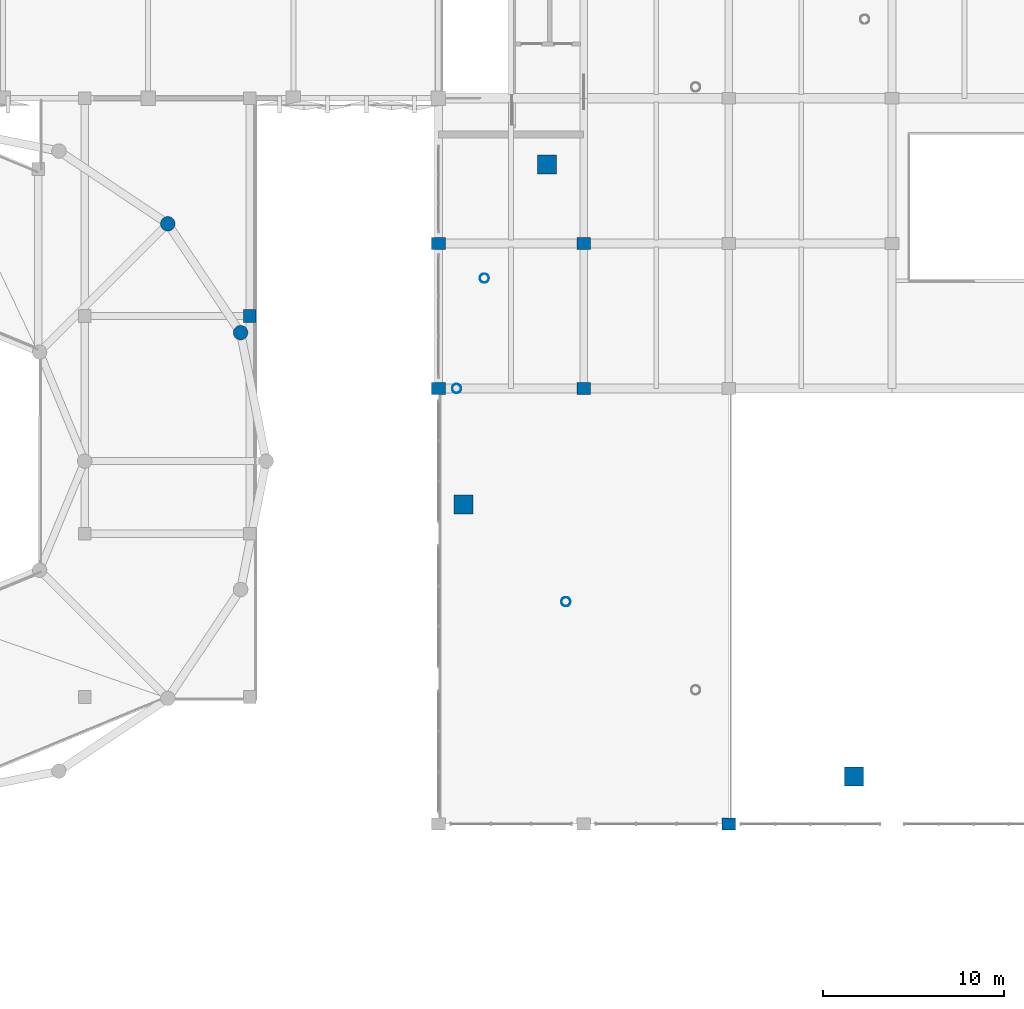
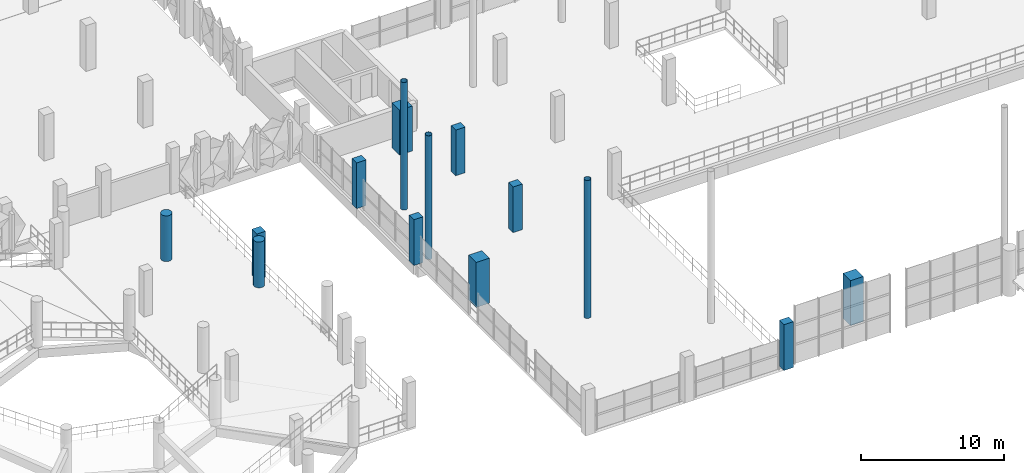
# One storey, part 4 of 123: 14 columns.
"""IFC4 building model written with IfcOpenShell, lengths in metres."""

from ifc_helpers import new_model, si_unit, derived_unit, direction, frame, origin, origin_2d, place, context, subcontext, project, spatial, rectangle, circle, hollow_circle, extrude, material, material_profile, profile_set, type_object, element, save


model = new_model("IFC4")

# Units and contexts
model_context = context("Model", 3, precision=1e-05, world=origin(), true_north=direction((0.0, 1.0)))
body_context = subcontext(model_context, "Body", "Model", "MODEL_VIEW")
ifc_project = project(units=[si_unit("LENGTHUNIT", "METRE"), si_unit("AREAUNIT", "SQUARE_METRE"), si_unit("VOLUMEUNIT", "CUBIC_METRE"), si_unit("PLANEANGLEUNIT", "RADIAN"), si_unit("MASSUNIT", "GRAM", prefix="KILO"), si_unit("THERMODYNAMICTEMPERATUREUNIT", "KELVIN"), derived_unit("THERMALTRANSMITTANCEUNIT", [(si_unit("POWERUNIT", "WATT"), 1), (si_unit("AREAUNIT", "SQUARE_METRE"), -1), (si_unit("THERMODYNAMICTEMPERATUREUNIT", "KELVIN"), -1)])], contexts=[model_context])

# Site, building, storey
site_placement = place(None, origin())
site = spatial("IfcSite", under=ifc_project, at=site_placement, CompositionType="ELEMENT")
building_placement = place(site_placement, origin())
building = spatial("IfcBuilding", under=site, at=building_placement, Name="Haiyu Intermodal Mobility Hub", CompositionType="ELEMENT")
storey_placement = place(building_placement, frame((0.0, 0.0, 5.60009765625)))
storey = spatial("IfcBuildingStorey", under=building, at=storey_placement, Name="L01", CompositionType="ELEMENT", Elevation=5.60009765625)

# Columns
ifc_material_1 = material(Name="Concrete C40", Category="concrete")
ifc_material_profile_1 = material_profile(ifc_material_1, rectangle(XDim=0.75, YDim=0.64990234375, at=origin_2d()), Name="RC750x650")
ifc_profile_set_1 = profile_set([ifc_material_profile_1], Name="Concrete C40")
column_type_1 = type_object("IfcColumnType", Name="COL-CC07", PredefinedType="COLUMN", material=ifc_profile_set_1)
for number, where, z_axis, x_axis, name in (
    (1, (62.0, 64.0, 0.0), (0.0, 0.0, 1.0), (1.0, 0.0, 0.0), "Column V1-7G L01"),
    (2, (62.0, 72.0, 0.0), (0.0, 0.0, 1.0), (1.0, 0.0, 0.0), "Column V1-7H L01"),
    (3, (70.0, 64.0, 0.0), (0.0, 0.0, 1.0), (1.0, 0.0, 0.0), "Column V1-8G L01"),
    (4, (70.0, 72.0, 0.0), (0.0, 0.0, 1.0), (1.0, 0.0, 0.0), "Column V1-8H L01"),
):
    element("IfcColumn", number, at=place(storey_placement, frame(where, z_axis=z_axis, x_axis=x_axis)), inside=storey, type_object=column_type_1, Name=name, PredefinedType="COLUMN", context=body_context, shape_type="SweptSolid", body=[
        extrude(rectangle(XDim=0.75, YDim=0.64990234375, at=origin_2d()), origin(), (0.0, 0.0, 1.0), 3.89990234375),
    ])
ifc_material_profile_2 = material_profile(ifc_material_1, rectangle(XDim=0.75, YDim=0.64990234375, at=origin_2d()), Name="RC750x650")
ifc_profile_set_2 = profile_set([ifc_material_profile_2], Name="Concrete C40")
column_type_2 = type_object("IfcColumnType", Name="COL-CC07-EXT", PredefinedType="COLUMN", material=ifc_profile_set_2)
column_1_placement = place(storey_placement, frame((78.0, 40.0, 0.0), z_axis=(0.0, 0.0, 1.0), x_axis=(1.0, 0.0, 0.0)))
element("IfcColumn", 5, at=column_1_placement, inside=storey, type_object=column_type_2, Name="Column V1-9D L01", PredefinedType="COLUMN", context=body_context, shape_type="SweptSolid", body=[
    extrude(rectangle(XDim=0.75, YDim=0.64990234375, at=origin_2d()), origin(), (0.0, 0.0, 1.0), 3.89990234375),
])
ifc_material_profile_3 = material_profile(ifc_material_1, rectangle(XDim=0.699951171875, YDim=0.699951171875, at=origin_2d()), Name="RC700x700")
ifc_profile_set_3 = profile_set([ifc_material_profile_3], Name="Concrete C40")
column_type_3 = type_object("IfcColumnType", Name="COL-CC08", PredefinedType="COLUMN", material=ifc_profile_set_3)
column_2_placement = place(storey_placement, frame((51.60009765625, 68.0, 0.0), z_axis=(0.0, 0.0, 1.0), x_axis=(1.0, 0.0, 0.0)))
element("IfcColumn", 6, at=column_2_placement, inside=storey, type_object=column_type_3, Name="Column V2L-3 L01", PredefinedType="COLUMN", context=body_context, shape_type="SweptSolid", body=[
    extrude(rectangle(XDim=0.699951171875, YDim=0.699951171875, at=origin_2d()), origin(), (0.0, 0.0, 1.0), 3.89990234375),
])
ifc_material_profile_4 = material_profile(ifc_material_1, rectangle(XDim=1.050048828125, YDim=1.050048828125, at=origin_2d()), Name="RC1050x1050")
ifc_profile_set_4 = profile_set([ifc_material_profile_4], Name="Concrete C40")
column_type_4 = type_object("IfcColumnType", Name="COL-CC12-EXT", PredefinedType="COLUMN", material=ifc_profile_set_4)
for number, where, z_axis, x_axis, name in (
    (7, (67.989990234375, 76.35009765625, 0.0), (0.0, 0.0, 1.0), (1.0, 0.0, 0.0), "Column MP-04 L01"),
    (8, (63.3740234375, 57.60693359375, 0.0), (0.0, 0.0, 1.0), (1.0, 0.0, 0.0), "Column MP-05 L01"),
    (9, (84.89990234375, 42.60888671875, 0.0), (0.0, 0.0, 1.0), (1.0, 0.0, 0.0), "Column MP-06 L01"),
):
    element("IfcColumn", number, at=place(storey_placement, frame(where, z_axis=z_axis, x_axis=x_axis)), inside=storey, type_object=column_type_4, Name=name, PredefinedType="COLUMN", context=body_context, shape_type="SweptSolid", body=[
        extrude(rectangle(XDim=1.050048828125, YDim=1.050048828125, at=origin_2d()), origin(), (0.0, 0.0, 1.0), 3.8349609375),
    ])
ifc_material_profile_5 = material_profile(ifc_material_1, circle(Radius=0.39990234375, at=origin_2d()), Name="RCCOL-D800")
ifc_profile_set_5 = profile_set([ifc_material_profile_5], Name="Concrete C40")
column_type_5 = type_object("IfcColumnType", Name="COL-CR01-EXT", PredefinedType="COLUMN", material=ifc_profile_set_5)
for number, where, z_axis, x_axis, name in (
    (10, (51.092041015625, 67.080078125, 0.0), (0.0, 0.0, 1.0), (1.0, 0.0, 0.0), "Column V2O-02 L01"),
    (11, (47.0810546875, 73.0810546875, 0.0), (0.0, 0.0, 1.0), (1.0, 0.0, 0.0), "Column V2O-03 L01"),
):
    element("IfcColumn", number, at=place(storey_placement, frame(where, z_axis=z_axis, x_axis=x_axis)), inside=storey, type_object=column_type_5, Name=name, PredefinedType="COLUMN", context=body_context, shape_type="SweptSolid", body=[
        extrude(circle(Radius=0.39990234375, at=origin_2d()), origin(), (0.0, 0.0, 1.0), 3.89990234375),
    ])
ifc_material_2 = material(Name="Steel Q355C", Category="steel")
ifc_material_profile_6 = material_profile(ifc_material_2, hollow_circle(Radius=0.25390625, WallThickness=0.01611328125, at=origin_2d()), Name="CHS508x16")
ifc_profile_set_6 = profile_set([ifc_material_profile_6], Name="Steel Q355C")
column_type_6 = type_object("IfcColumnType", Name="COL-SC02-EXT", PredefinedType="COLUMN", material=ifc_profile_set_6)
column_3_placement = place(storey_placement, frame((64.532958984375, 70.08203125, 0.0), z_axis=(0.0, 0.0, 1.0), x_axis=(1.0, 0.0, 0.0)))
element("IfcColumn", 12, at=column_3_placement, inside=storey, type_object=column_type_6, Name="Column RCOL-12 L01", PredefinedType="COLUMN", context=body_context, shape_type="SweptSolid", body=[
    extrude(hollow_circle(Radius=0.25390625, WallThickness=0.01611328125, at=origin_2d()), origin(), (0.0, 0.0, 1.0), 10.8818359375),
])
column_4_placement = place(storey_placement, frame((63.0, 64.0, 0.0), z_axis=(0.0, 0.0, 1.0), x_axis=(1.0, 0.0, 0.0)))
element("IfcColumn", 13, at=column_4_placement, inside=storey, type_object=column_type_6, Name="Column RCOL-13 L01", PredefinedType="COLUMN", context=body_context, shape_type="SweptSolid", body=[
    extrude(hollow_circle(Radius=0.25390625, WallThickness=0.01611328125, at=origin_2d()), origin(), (0.0, 0.0, 1.0), 10.559814453125),
])
column_5_placement = place(storey_placement, frame((69.029052734375, 52.25, 0.0), z_axis=(0.0, 0.0, 1.0), x_axis=(1.0, 0.0, 0.0)))
element("IfcColumn", 14, at=column_5_placement, inside=storey, type_object=column_type_6, Name="Column RCOL-15 L01", PredefinedType="COLUMN", context=body_context, shape_type="SweptSolid", body=[
    extrude(hollow_circle(Radius=0.25390625, WallThickness=0.01611328125, at=origin_2d()), origin(), (0.0, 0.0, 1.0), 11.760009765625),
])

save(model, "model.ifc")
